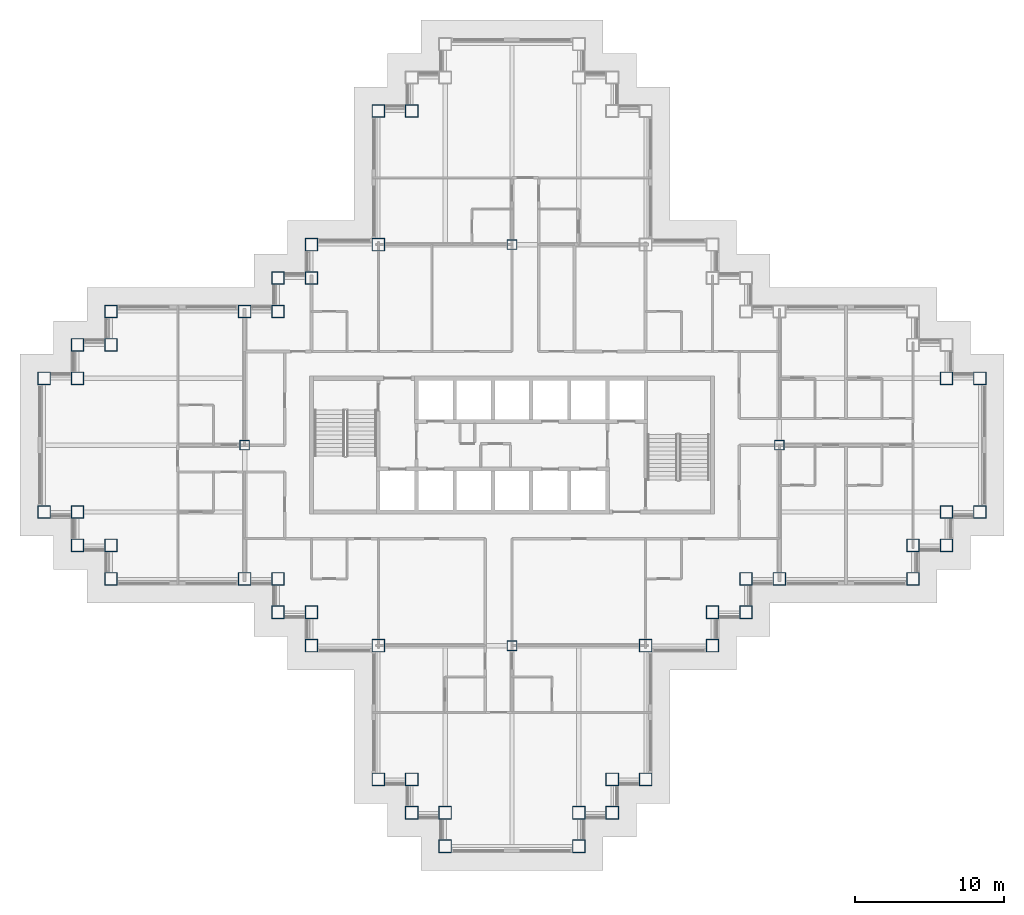
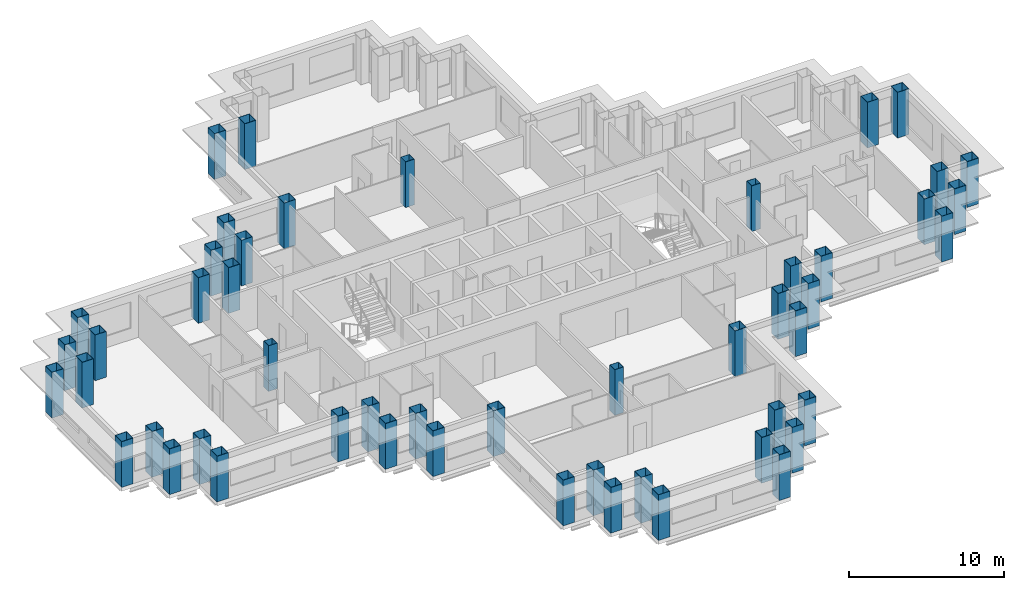
# One storey, part 1 of 15: 51 columns.
"""IFC4 building model written with IfcOpenShell, lengths in metres."""

from ifc_helpers import new_model, si_unit, direction, frame, origin, origin_2d, place, context, subcontext, project, spatial, hollow_rectangle, extrude, material, material_profile, profile_set, type_object, element, save


model = new_model("IFC4")

# Units and contexts
model_context = context("Model", 3, precision=1e-05, world=origin(), true_north=direction((0.0, 1.0)))
body_context = subcontext(model_context, "Body", "Model", "MODEL_VIEW")
ifc_project = project(units=[si_unit("LENGTHUNIT", "METRE"), si_unit("AREAUNIT", "SQUARE_METRE"), si_unit("VOLUMEUNIT", "CUBIC_METRE"), si_unit("PLANEANGLEUNIT", "RADIAN"), si_unit("MASSUNIT", "GRAM", prefix="KILO")], contexts=[model_context])

# Site, building, storey
site_placement = place(None, origin())
site = spatial("IfcSite", under=ifc_project, at=site_placement, CompositionType="ELEMENT")
building_placement = place(site_placement, origin())
building = spatial("IfcBuilding", under=site, at=building_placement, Name="Caravel Reach Hotel and Residences", CompositionType="ELEMENT")
storey_placement = place(building_placement, frame((0.0, 0.0, 122.39990234375)))
storey = spatial("IfcBuildingStorey", under=building, at=storey_placement, Name="L30", CompositionType="ELEMENT", Elevation=122.39990234375)

# Columns
ifc_material_1 = material(Name="Concrete-filled steel tube Q390B with Concrete C70 infill", Category="concrete")
ifc_material_profile_1 = material_profile(ifc_material_1, hollow_rectangle(XDim=0.64990234375, YDim=0.64990234375, WallThickness=0.02099609375, at=origin_2d()), Name="RHS 650x650x21")
ifc_profile_set_1 = profile_set([ifc_material_profile_1], Name="Concrete-filled steel tube Q390B with Concrete C70 infill")
column_type_1 = type_object("IfcColumnType", Name="CFT 650x650 Q390B C70", PredefinedType="COLUMN", material=ifc_profile_set_1)
for number, where, z_axis, x_axis, name in (
    (1, (31.5, 40.5, 0.0), (0.0, 0.0, 1.0), (1.0, 0.0, 0.0), "C17 column"),
    (2, (31.5, 13.5, 0.0), (0.0, 0.0, 1.0), (1.0, 0.0, 0.0), "C17 column"),
    (3, (13.5, 27.0, 0.0), (0.0, 0.0, 1.0), (1.0, 0.0, 0.0), "C17 column"),
    (4, (49.5, 27.0, 0.0), (0.0, 0.0, 1.0), (1.0, 0.0, 0.0), "C17 column"),
):
    element("IfcColumn", number, at=place(storey_placement, frame(where, z_axis=z_axis, x_axis=x_axis)), inside=storey, type_object=column_type_1, Name=name, PredefinedType="COLUMN", context=body_context, shape_type="SweptSolid", body=[
        extrude(hollow_rectangle(XDim=0.64990234375, YDim=0.64990234375, WallThickness=0.02099609375, at=origin_2d()), origin(), (0.0, 0.0, 1.0), 3.60009765625),
    ])
ifc_material_2 = material(Name="Concrete-filled steel tube Q390B with Concrete C70 infill", Category="concrete")
ifc_material_profile_2 = material_profile(ifc_material_2, hollow_rectangle(XDim=0.85009765625, YDim=0.85009765625, WallThickness=0.02587890625, at=origin_2d()), Name="RHS 850x850x26")
ifc_profile_set_2 = profile_set([ifc_material_profile_2], Name="Concrete-filled steel tube Q390B with Concrete C70 infill")
column_type_2 = type_object("IfcColumnType", Name="CFT 850x850 Q390B C70", PredefinedType="COLUMN", material=ifc_profile_set_2)
for number, where, z_axis, x_axis, name in (
    (5, (22.5, 4.5, 0.0), (0.0, 0.0, 1.0), (1.0, 0.0, 0.0), "C13 column"),
    (6, (24.75, 4.5, 0.0), (0.0, 0.0, 1.0), (1.0, 0.0, 0.0), "C13 column"),
    (7, (24.75, 2.25, 0.0), (0.0, 0.0, 1.0), (1.0, 0.0, 0.0), "C13 column"),
    (8, (27.0, 2.25, 0.0), (0.0, 0.0, 1.0), (1.0, 0.0, 0.0), "C13 column"),
    (9, (27.0, 0.0, 0.0), (0.0, 0.0, 1.0), (1.0, 0.0, 0.0), "C13 column"),
    (10, (36.0, 0.0, 0.0), (0.0, 0.0, 1.0), (1.0, 0.0, 0.0), "C13 column"),
    (11, (36.0, 2.25, 0.0), (0.0, 0.0, 1.0), (1.0, 0.0, 0.0), "C13 column"),
    (12, (38.25, 2.25, 0.0), (0.0, 0.0, 1.0), (1.0, 0.0, 0.0), "C13 column"),
    (13, (38.25, 4.5, 0.0), (0.0, 0.0, 1.0), (1.0, 0.0, 0.0), "C13 column"),
    (14, (40.5, 4.5, 0.0), (0.0, 0.0, 1.0), (1.0, 0.0, 0.0), "C13 column"),
    (15, (40.5, 13.5, 0.0), (0.0, 0.0, 1.0), (1.0, 0.0, 0.0), "C13 column"),
    (16, (45.0, 13.5, 0.0), (0.0, 0.0, 1.0), (1.0, 0.0, 0.0), "C13 column"),
    (17, (45.0, 15.75, 0.0), (0.0, 0.0, 1.0), (1.0, 0.0, 0.0), "C13 column"),
    (18, (47.25, 15.75, 0.0), (0.0, 0.0, 1.0), (1.0, 0.0, 0.0), "C13 column"),
    (19, (47.25, 18.0, 0.0), (0.0, 0.0, 1.0), (1.0, 0.0, 0.0), "C13 column"),
    (20, (49.5, 18.0, 0.0), (0.0, 0.0, 1.0), (1.0, 0.0, 0.0), "C13 column"),
    (21, (58.5, 18.0, 0.0), (0.0, 0.0, 1.0), (1.0, 0.0, 0.0), "C13 column"),
    (22, (58.5, 20.25, 0.0), (0.0, 0.0, 1.0), (1.0, 0.0, 0.0), "C13 column"),
    (23, (60.75, 20.25, 0.0), (0.0, 0.0, 1.0), (1.0, 0.0, 0.0), "C13 column"),
    (24, (60.75, 22.5, 0.0), (0.0, 0.0, 1.0), (1.0, 0.0, 0.0), "C13 column"),
    (25, (63.0, 22.5, 0.0), (0.0, 0.0, 1.0), (1.0, 0.0, 0.0), "C13 column"),
    (26, (63.0, 31.5, 0.0), (0.0, 0.0, 1.0), (1.0, 0.0, 0.0), "C13 column"),
    (27, (60.75, 31.5, 0.0), (0.0, 0.0, 1.0), (1.0, 0.0, 0.0), "C13 column"),
    (28, (24.75, 49.5, 0.0), (0.0, 0.0, 1.0), (1.0, 0.0, 0.0), "C13 column"),
    (29, (22.5, 49.5, 0.0), (0.0, 0.0, 1.0), (1.0, 0.0, 0.0), "C13 column"),
    (30, (22.5, 40.5, 0.0), (0.0, 0.0, 1.0), (1.0, 0.0, 0.0), "C13 column"),
    (31, (18.0, 40.5, 0.0), (0.0, 0.0, 1.0), (1.0, 0.0, 0.0), "C13 column"),
    (32, (18.0, 38.25, 0.0), (0.0, 0.0, 1.0), (1.0, 0.0, 0.0), "C13 column"),
    (33, (15.75, 38.25, 0.0), (0.0, 0.0, 1.0), (1.0, 0.0, 0.0), "C13 column"),
    (34, (15.75, 36.0, 0.0), (0.0, 0.0, 1.0), (1.0, 0.0, 0.0), "C13 column"),
    (35, (13.5, 36.0, 0.0), (0.0, 0.0, 1.0), (1.0, 0.0, 0.0), "C13 column"),
    (36, (4.5, 36.0, 0.0), (0.0, 0.0, 1.0), (1.0, 0.0, 0.0), "C13 column"),
    (37, (4.5, 33.75, 0.0), (0.0, 0.0, 1.0), (1.0, 0.0, 0.0), "C13 column"),
    (38, (2.25, 33.75, 0.0), (0.0, 0.0, 1.0), (1.0, 0.0, 0.0), "C13 column"),
    (39, (2.25, 31.5, 0.0), (0.0, 0.0, 1.0), (1.0, 0.0, 0.0), "C13 column"),
    (40, (0.0, 31.5, 0.0), (0.0, 0.0, 1.0), (1.0, 0.0, 0.0), "C13 column"),
    (41, (0.0, 22.5, 0.0), (0.0, 0.0, 1.0), (1.0, 0.0, 0.0), "C13 column"),
    (42, (2.25, 22.5, 0.0), (0.0, 0.0, 1.0), (1.0, 0.0, 0.0), "C13 column"),
    (43, (2.25, 20.25, 0.0), (0.0, 0.0, 1.0), (1.0, 0.0, 0.0), "C13 column"),
    (44, (4.5, 20.25, 0.0), (0.0, 0.0, 1.0), (1.0, 0.0, 0.0), "C13 column"),
    (45, (4.5, 18.0, 0.0), (0.0, 0.0, 1.0), (1.0, 0.0, 0.0), "C13 column"),
    (46, (13.5, 18.0, 0.0), (0.0, 0.0, 1.0), (1.0, 0.0, 0.0), "C13 column"),
    (47, (15.75, 18.0, 0.0), (0.0, 0.0, 1.0), (1.0, 0.0, 0.0), "C13 column"),
    (48, (15.75, 15.75, 0.0), (0.0, 0.0, 1.0), (1.0, 0.0, 0.0), "C13 column"),
    (49, (18.0, 15.75, 0.0), (0.0, 0.0, 1.0), (1.0, 0.0, 0.0), "C13 column"),
    (50, (18.0, 13.5, 0.0), (0.0, 0.0, 1.0), (1.0, 0.0, 0.0), "C13 column"),
    (51, (22.5, 13.5, 0.0), (0.0, 0.0, 1.0), (1.0, 0.0, 0.0), "C13 column"),
):
    element("IfcColumn", number, at=place(storey_placement, frame(where, z_axis=z_axis, x_axis=x_axis)), inside=storey, type_object=column_type_2, Name=name, PredefinedType="COLUMN", context=body_context, shape_type="SweptSolid", body=[
        extrude(hollow_rectangle(XDim=0.85009765625, YDim=0.85009765625, WallThickness=0.02587890625, at=origin_2d()), origin(), (0.0, 0.0, 1.0), 3.60009765625),
    ])

save(model, "model.ifc")
